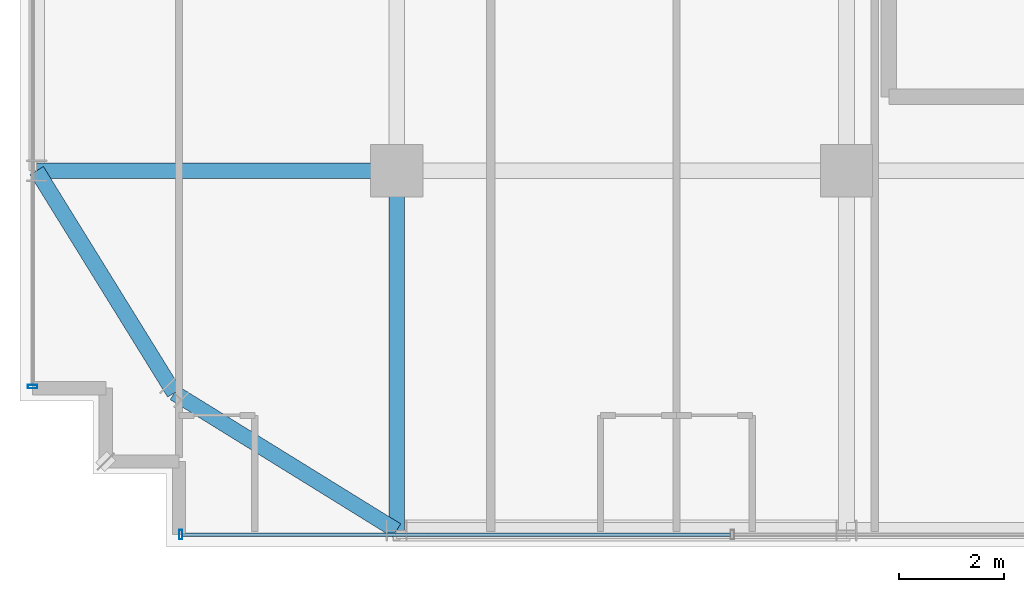
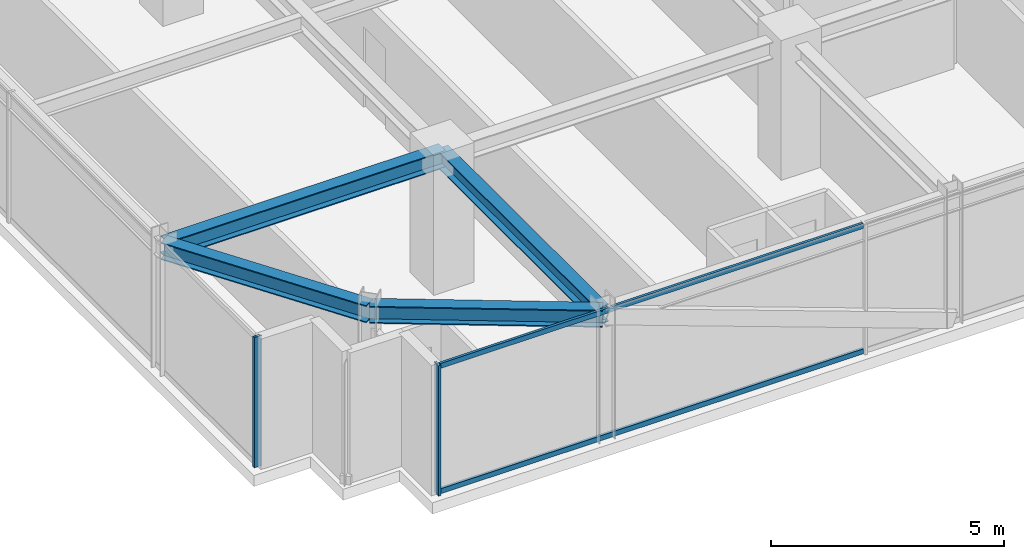
# One storey, part 4 of 43: 4 beams, 4 members, 2 elements without a shape of their own.
"""IFC4 building model written with IfcOpenShell, lengths in metres."""

from ifc_helpers import new_model, si_unit, direction, frame, origin, origin_2d, place, context, subcontext, project, spatial, hollow_rectangle, i_section, extrude, source, transform, mapped, material, material_profile, profile_set, type_object, element, aggregate, save


model = new_model("IFC4")

# Units and contexts
model_context = context("Model", 3, precision=1e-05, world=origin(), true_north=direction((0.0, 1.0)))
body_context = subcontext(model_context, "Body", "Model", "MODEL_VIEW")
ifc_project = project(units=[si_unit("LENGTHUNIT", "METRE"), si_unit("AREAUNIT", "SQUARE_METRE"), si_unit("VOLUMEUNIT", "CUBIC_METRE"), si_unit("PLANEANGLEUNIT", "RADIAN"), si_unit("MASSUNIT", "GRAM", prefix="KILO")], contexts=[model_context])

# Site, building, storey
site_placement = place(None, origin())
site = spatial("IfcSite", under=ifc_project, at=site_placement, CompositionType="ELEMENT")
building_placement = place(site_placement, origin())
building = spatial("IfcBuilding", under=site, at=building_placement, Name="Nahalor Promenade Grand Hotel", CompositionType="ELEMENT")
storey_placement = place(building_placement, frame((0.0, 0.0, 204.89990234375)))
storey = spatial("IfcBuildingStorey", under=building, at=storey_placement, Name="L52", CompositionType="ELEMENT", Elevation=204.89990234375)

# Beams
ifc_material_1 = material(Name="Steel S355JR", Category="steel")
ifc_material_profile_1 = material_profile(ifc_material_1, i_section(OverallWidth=0.3, OverallDepth=0.45, WebThickness=0.014, FlangeThickness=0.026, at=origin_2d()), Name="HEB 450")
ifc_profile_set_1 = profile_set([ifc_material_profile_1], Name="Steel S355JR")
beam_type_1 = type_object("IfcBeamType", Name="Beam-Spandrel-HEB450", PredefinedType="SPANDREL", material=ifc_profile_set_1)
shared_shape_1 = source(origin(), body_context, "Body", "SweptSolid", [
    extrude(i_section(OverallWidth=0.3, OverallDepth=0.45, WebThickness=0.014, FlangeThickness=0.026, at=origin_2d()), origin(), (0.0, 0.0, 1.0), 4.997802734375),
])
for number, where, z_axis, x_axis, name in (
    (1, (-17.0, -23.8798828125, 3.18505859375), (-0.850360908404, 0.526199891161, 0.0), (-0.526199891161, -0.850360908404, 0.0), "BM-L52-SPC-SW-1"),
    (2, (-21.25, -21.25, 3.18505859375), (-0.526199891161, 0.850360908404, 0.0), (-0.850360908404, -0.526199891161, 0.0), "BM-L52-SPC-SW-2"),
):
    element("IfcBeam", number, at=place(storey_placement, frame(where, z_axis=z_axis, x_axis=x_axis)), inside=storey, type_object=beam_type_1, Name=name, PredefinedType="SPANDREL", context=body_context, shape_type="MappedRepresentation", body=[
        mapped(shared_shape_1, transform((0.0, 0.0, 0.0), scale=1.0)),
    ])
ifc_material_profile_2 = material_profile(ifc_material_1, i_section(OverallWidth=0.3, OverallDepth=0.45, WebThickness=0.014, FlangeThickness=0.026, at=origin_2d()), Name="HEB 450")
ifc_profile_set_2 = profile_set([ifc_material_profile_2], Name="Steel S355JR")
beam_type_2 = type_object("IfcBeamType", Name="Beam-Girder-HEB450", PredefinedType="BEAM", material=ifc_profile_set_2)
shared_shape_2 = source(origin(), body_context, "Body", "SweptSolid", [
    extrude(i_section(OverallWidth=0.3, OverallDepth=0.45, WebThickness=0.014, FlangeThickness=0.026, at=origin_2d()), origin(), (0.0, 0.0, 1.0), 6.8798828125),
])
for number, where, z_axis, x_axis, name in (
    (3, (-23.8798828125, -17.0, 3.18505859375), (1.0, 0.0, 0.0), (0.0, 1.0, 0.0), "BM-L52-GX-0-0"),
    (4, (-17.0, -23.8798828125, 3.18505859375), (0.0, 1.0, 0.0), (-1.0, 0.0, 0.0), "BM-L52-GY-0-0"),
):
    element("IfcBeam", number, at=place(storey_placement, frame(where, z_axis=z_axis, x_axis=x_axis)), inside=storey, type_object=beam_type_2, Name=name, PredefinedType="BEAM", context=body_context, shape_type="MappedRepresentation", body=[
        mapped(shared_shape_2, transform((0.0, 0.0, 0.0), scale=1.0)),
    ])

# Curtain wall, member
ifc_material_2 = material(Name="Anodised Bronze Aluminium EN AW-6063 T6", Category="aluminium")
curtain_wall_type = type_object("IfcCurtainWallType", Name="CW2 Typical Hotel Flush Bronze Unitised Curtain Wall", PredefinedType="USERDEFINED", material=ifc_material_2)
curtain_wall_1_placement = place(storey_placement, origin())
curtain_wall_1 = element("IfcCurtainWall", 5, at=curtain_wall_1_placement, inside=storey, type_object=curtain_wall_type, Name="L52 Curtain Wall CW-L52-S-1", ObjectType="UNITISED_CURTAIN_WALL", PredefinedType="USERDEFINED")
ifc_material_profile_3 = material_profile(ifc_material_2, hollow_rectangle(XDim=0.065, YDim=0.18, WallThickness=0.004, at=origin_2d()), Name="CWM 65x180x4")
ifc_profile_set_3 = profile_set([ifc_material_profile_3], Name="Anodised Bronze Aluminium EN AW-6063 T6")
member_type_1 = type_object("IfcMemberType", Name="CWM2 Typical Bronze Mullion 65x180", PredefinedType="MULLION", material=ifc_profile_set_3)
shared_shape_3 = source(origin(), body_context, "Body", "SweptSolid", [
    extrude(hollow_rectangle(XDim=0.065, YDim=0.18, WallThickness=0.004, at=origin_2d()), origin(), (0.0, 0.0, 1.0), 3.41015625),
])
member_1_placement = place(storey_placement, frame((-21.12744140625, -23.9599609375, 0.0), z_axis=(0.0, 0.0, 1.0), x_axis=(1.0, 0.0, 0.0)))
member_1 = element("IfcMember", 6, at=member_1_placement, type_object=member_type_1, Name="CW-L52-S-1 Mullion 0", PredefinedType="MULLION", context=body_context, shape_type="MappedRepresentation", body=[
    mapped(shared_shape_3, transform((0.0, 0.0, 0.0), scale=1.0)),
])

curtain_wall_2_placement = place(storey_placement, origin())
curtain_wall_2 = element("IfcCurtainWall", 7, at=curtain_wall_2_placement, inside=storey, type_object=curtain_wall_type, Name="L52 Curtain Wall CW-L52-W-1", ObjectType="UNITISED_CURTAIN_WALL", PredefinedType="USERDEFINED")
member_2_placement = place(storey_placement, frame((-23.9599609375, -21.12744140625, 0.0), z_axis=(0.0, 0.0, 1.0), x_axis=(0.0, 1.0, 0.0)))
member_2 = element("IfcMember", 8, at=member_2_placement, type_object=member_type_1, Name="CW-L52-W-1 Mullion 0", PredefinedType="MULLION", context=body_context, shape_type="MappedRepresentation", body=[
    mapped(shared_shape_3, transform((0.0, 0.0, 0.0), scale=1.0)),
])
aggregate(curtain_wall_2, [member_2])

# Member
ifc_material_profile_4 = material_profile(ifc_material_2, hollow_rectangle(XDim=0.065, YDim=0.13, WallThickness=0.004, at=origin_2d()), Name="CWT 65x130x4")
ifc_profile_set_4 = profile_set([ifc_material_profile_4], Name="Anodised Bronze Aluminium EN AW-6063 T6")
member_type_2 = type_object("IfcMemberType", Name="CWT2 Typical Bronze Transom 65x130", PredefinedType="USERDEFINED", material=ifc_profile_set_4)
shared_shape_4 = source(origin(), body_context, "Body", "SweptSolid", [
    extrude(hollow_rectangle(XDim=0.065, YDim=0.13, WallThickness=0.004, at=origin_2d()), origin(), (0.0, 0.0, 1.0), 10.482421875),
])
member_3_placement = place(storey_placement, frame((-21.094970703125, -23.9599609375, 0.065185546875), z_axis=(1.0, 0.0, 0.0), x_axis=(0.0, 1.0, 0.0)))
member_3 = element("IfcMember", 9, at=member_3_placement, type_object=member_type_2, Name="CW-L52-S-1 Transom 0-0", ObjectType="TRANSOM", PredefinedType="USERDEFINED", context=body_context, shape_type="MappedRepresentation", body=[
    mapped(shared_shape_4, transform((0.0, 0.0, 0.0), scale=1.0)),
])

member_4_placement = place(storey_placement, frame((-21.094970703125, -23.9599609375, 3.34521484375), z_axis=(1.0, 0.0, 0.0), x_axis=(0.0, 1.0, 0.0)))
member_4 = element("IfcMember", 10, at=member_4_placement, type_object=member_type_2, Name="CW-L52-S-1 Transom 0-1", ObjectType="TRANSOM", PredefinedType="USERDEFINED", context=body_context, shape_type="MappedRepresentation", body=[
    mapped(shared_shape_4, transform((0.0, 0.0, 0.0), scale=1.0)),
])

aggregate(curtain_wall_1, [member_1, member_3, member_4])

save(model, "model.ifc")
